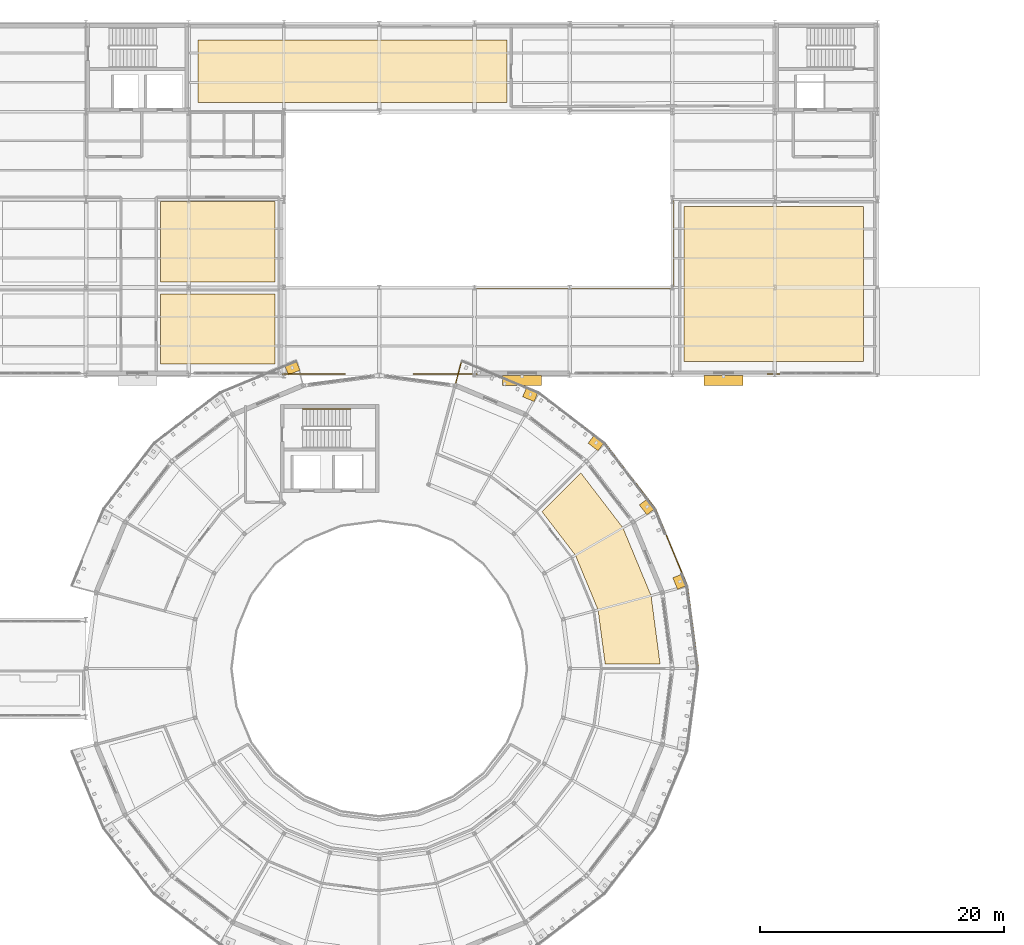
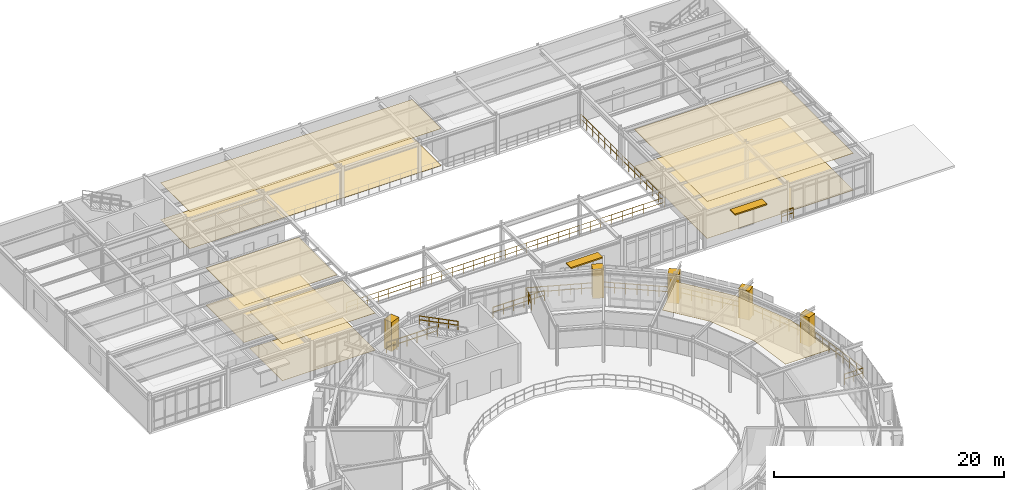
# One storey, part 88 of 90: 9 coverings, 7 shading devices, 6 railings.
"""IFC4 building model written with IfcOpenShell, lengths in metres."""

from ifc_helpers import new_model, si_unit, derived_unit, direction, frame, origin, origin_2d, place, context, subcontext, project, spatial, polyline, rectangle, circle, outline, extrude, material, layer, layer_set, type_object, element, save


model = new_model("IFC4")

# Units and contexts
model_context = context("Model", 3, precision=1e-05, world=origin(), true_north=direction((0.0, 1.0)))
body_context = subcontext(model_context, "Body", "Model", "MODEL_VIEW")
ifc_project = project(units=[si_unit("LENGTHUNIT", "METRE"), si_unit("AREAUNIT", "SQUARE_METRE"), si_unit("VOLUMEUNIT", "CUBIC_METRE"), si_unit("PLANEANGLEUNIT", "RADIAN"), si_unit("MASSUNIT", "GRAM", prefix="KILO"), derived_unit("THERMALTRANSMITTANCEUNIT", [(si_unit("POWERUNIT", "WATT"), 1), (si_unit("AREAUNIT", "SQUARE_METRE"), -1), (si_unit("THERMODYNAMICTEMPERATUREUNIT", "KELVIN"), -1)])], contexts=[model_context])

# Site, building, storey
site_placement = place(None, origin())
site = spatial("IfcSite", under=ifc_project, at=site_placement, CompositionType="ELEMENT")
building_placement = place(site_placement, origin())
building = spatial("IfcBuilding", under=site, at=building_placement, Name="Yasenodar Specialist Clinic", CompositionType="ELEMENT")
storey_placement = place(building_placement, frame((0.0, 0.0, 9.0)))
storey = spatial("IfcBuildingStorey", under=building, at=storey_placement, Name="L02", CompositionType="ELEMENT", Elevation=9.0)

# Coverings
ifc_material_1 = material(Name="Hygienic Acoustic Mineral-Fibre Ceiling")
ifc_layer_1 = layer(ifc_material_1, 0.02490234375)
ifc_layer_set_1 = layer_set([ifc_layer_1], Name="Hygienic Acoustic Mineral-Fibre Ceiling")
covering_type_1 = type_object("IfcCoveringType", Name="COV-CEIL-AC", PredefinedType="CEILING", material=ifc_layer_set_1)
covering_1_placement = place(storey_placement, frame((0.0, 0.0, 3.925048828125)))
element("IfcCovering", 1, at=covering_1_placement, inside=storey, type_object=covering_type_1, Name="L02 Targeted Biologics Infusion Suite Acoustic Ceiling", PredefinedType="CEILING", context=body_context, shape_type="SweptSolid", body=[
    extrude(outline(polyline([(98.922119140625, 63.5859375), (98.9140625, 63.615966796875), (98.903076171875, 63.64404296875), (97.0849609375, 68.033935546875), (97.072021484375, 68.06201171875), (97.056884765625, 68.087890625), (97.0390625, 68.113037109375), (94.333984375, 71.638916015625), (97.511962890625, 74.81689453125), (100.958984375, 70.322998046875), (103.261962890625, 64.764892578125), (104.0009765625, 59.14990234375), (99.507080078125, 59.14990234375), (98.927001953125, 63.555908203125), (98.922119140625, 63.5859375)])), origin(), (0.0, 0.0, 1.0), 0.02490234375),
])
covering_2_placement = place(storey_placement, frame((0.0, 0.0, 3.925048828125)))
element("IfcCovering", 2, at=covering_2_placement, inside=storey, type_object=covering_type_1, Name="L02 Minor Day-Procedure Suite 02 Acoustic Ceiling", PredefinedType="CEILING", context=body_context, shape_type="SweptSolid", body=[
    extrude(outline(polyline([(72.449951171875, 89.449951171875), (72.449951171875, 83.75), (63.10009765625, 83.75), (63.10009765625, 89.449951171875), (72.449951171875, 89.449951171875)])), origin(), (0.0, 0.0, 1.0), 0.02490234375),
])
covering_3_placement = place(storey_placement, frame((0.0, 0.0, 3.925048828125)))
element("IfcCovering", 3, at=covering_3_placement, inside=storey, type_object=covering_type_1, Name="L02 Aseptic Oncology Compounding Pharmacy Acoustic Ceiling", PredefinedType="CEILING", context=body_context, shape_type="SweptSolid", body=[
    extrude(outline(polyline([(91.449951171875, 105.14990234375), (66.14990234375, 105.14990234375), (66.14990234375, 110.25), (91.449951171875, 110.25), (91.449951171875, 105.14990234375)])), origin(), (0.0, 0.0, 1.0), 0.02490234375),
])
covering_4_placement = place(storey_placement, frame((0.0, 0.0, 3.925048828125)))
element("IfcCovering", 4, at=covering_4_placement, inside=storey, type_object=covering_type_1, Name="L02 Sterile Pack Preparation Store Acoustic Ceiling", PredefinedType="CEILING", context=body_context, shape_type="SweptSolid", body=[
    extrude(outline(polyline([(120.64990234375, 83.949951171875), (105.949951171875, 83.949951171875), (105.949951171875, 96.64990234375), (120.64990234375, 96.64990234375), (120.64990234375, 83.949951171875)])), origin(), (0.0, 0.0, 1.0), 0.02490234375),
])
covering_5_placement = place(storey_placement, frame((0.0, 0.0, 3.925048828125)))
element("IfcCovering", 5, at=covering_5_placement, inside=storey, type_object=covering_type_1, Name="L02 Day-Procedure Recovery Bay Acoustic Ceiling", PredefinedType="CEILING", context=body_context, shape_type="SweptSolid", body=[
    extrude(outline(polyline([(72.449951171875, 97.050048828125), (72.449951171875, 90.449951171875), (63.10009765625, 90.449951171875), (63.10009765625, 97.050048828125), (72.449951171875, 97.050048828125)])), origin(), (0.0, 0.0, 1.0), 0.02490234375),
])
ifc_material_2 = material(Name="Seamless Epoxy Terrazzo Clinical Flooring")
ifc_layer_2 = layer(ifc_material_2, 0.02001953125)
ifc_layer_set_2 = layer_set([ifc_layer_2], Name="Seamless Epoxy Terrazzo Clinical Flooring")
covering_type_2 = type_object("IfcCoveringType", Name="COV-FLR-TERR", PredefinedType="FLOORING", material=ifc_layer_set_2)
covering_6_placement = place(storey_placement, origin())
element("IfcCovering", 6, at=covering_6_placement, inside=storey, type_object=covering_type_2, Name="L02 Minor Day-Procedure Suite 02 Terrazzo Flooring", PredefinedType="FLOORING", context=body_context, shape_type="SweptSolid", body=[
    extrude(outline(polyline([(72.449951171875, 89.449951171875), (72.449951171875, 83.75), (63.10009765625, 83.75), (63.10009765625, 89.449951171875), (72.449951171875, 89.449951171875)])), origin(), (0.0, 0.0, 1.0), 0.02001953125),
])
covering_7_placement = place(storey_placement, origin())
element("IfcCovering", 7, at=covering_7_placement, inside=storey, type_object=covering_type_2, Name="L02 Aseptic Oncology Compounding Pharmacy Terrazzo Flooring", PredefinedType="FLOORING", context=body_context, shape_type="SweptSolid", body=[
    extrude(outline(polyline([(91.449951171875, 105.14990234375), (66.14990234375, 105.14990234375), (66.14990234375, 110.25), (91.449951171875, 110.25), (91.449951171875, 105.14990234375)])), origin(), (0.0, 0.0, 1.0), 0.02001953125),
])
covering_8_placement = place(storey_placement, origin())
element("IfcCovering", 8, at=covering_8_placement, inside=storey, type_object=covering_type_2, Name="L02 Sterile Pack Preparation Store Terrazzo Flooring", PredefinedType="FLOORING", context=body_context, shape_type="SweptSolid", body=[
    extrude(outline(polyline([(120.64990234375, 83.949951171875), (105.949951171875, 83.949951171875), (105.949951171875, 96.64990234375), (120.64990234375, 96.64990234375), (120.64990234375, 83.949951171875)])), origin(), (0.0, 0.0, 1.0), 0.02001953125),
])
covering_9_placement = place(storey_placement, origin())
element("IfcCovering", 9, at=covering_9_placement, inside=storey, type_object=covering_type_2, Name="L02 Day-Procedure Recovery Bay Terrazzo Flooring", PredefinedType="FLOORING", context=body_context, shape_type="SweptSolid", body=[
    extrude(outline(polyline([(72.449951171875, 97.050048828125), (72.449951171875, 90.449951171875), (63.10009765625, 90.449951171875), (63.10009765625, 97.050048828125), (72.449951171875, 97.050048828125)])), origin(), (0.0, 0.0, 1.0), 0.02001953125),
])

# Railings
ifc_material_3 = material(Name="Bronze Anodized Aluminium and Larch Balustrade", Category="aluminium")
railing_type_1 = type_object("IfcRailingType", Name="RL-BAL-1120", PredefinedType="BALUSTRADE", material=ifc_material_3)
railing_1_placement = place(storey_placement, frame((105.219970703125, 58.800048828125, 0.0)))
element("IfcRailing", 10, at=railing_1_placement, inside=storey, type_object=railing_type_1, Name="L02 Drum V1 Balcony Balustrade 1", PredefinedType="BALUSTRADE", context=body_context, shape_type="SweptSolid", body=[
    extrude(circle(Radius=0.02392578125, at=origin_2d()), frame((0.0, 0.0, 1.09619140625), z_axis=(1.0, 0.0, 0.0), x_axis=(0.0, 1.0, 0.0)), (0.0, 0.0, 1.0), 1.900146484375),
    extrude(circle(Radius=0.02392578125, at=origin_2d()), frame((0.0, 0.0, 0.58251953125), z_axis=(1.0, 0.0, 0.0), x_axis=(0.0, 1.0, 0.0)), (0.0, 0.0, 1.0), 1.900146484375),
    extrude(circle(Radius=0.02392578125, at=origin_2d()), frame((1.900146484375, 0.0, 1.09619140625), z_axis=(-0.130545279945, 0.99144234824, 0.0), x_axis=(-0.99144234824, -0.130545279945, 0.0)), (0.0, 0.0, 1.0), 6.818603515625),
    extrude(circle(Radius=0.02392578125, at=origin_2d()), frame((1.900146484375, 0.0, 0.58251953125), z_axis=(-0.130545279945, 0.99144234824, 0.0), x_axis=(-0.99144234824, -0.130545279945, 0.0)), (0.0, 0.0, 1.0), 6.818603515625),
    extrude(circle(Radius=0.02392578125, at=origin_2d()), frame((1.010009765625, 6.76025390625, 1.09619140625), z_axis=(-0.382672223843, 0.923884175154, 0.0), x_axis=(-0.923884175154, -0.382672223843, 0.0)), (0.0, 0.0, 1.0), 6.81884765625),
    extrude(circle(Radius=0.02392578125, at=origin_2d()), frame((1.010009765625, 6.76025390625, 0.58251953125), z_axis=(-0.382672223843, 0.923884175154, 0.0), x_axis=(-0.923884175154, -0.382672223843, 0.0)), (0.0, 0.0, 1.0), 6.81884765625),
    extrude(circle(Radius=0.02392578125, at=origin_2d()), frame((-1.599365234375, 13.06005859375, 1.09619140625), z_axis=(-0.608791534996, 0.793330238247, 0.0), x_axis=(-0.793330238247, -0.608791534996, 0.0)), (0.0, 0.0, 1.0), 6.818603515625),
    extrude(circle(Radius=0.02392578125, at=origin_2d()), frame((-1.599365234375, 13.06005859375, 0.58251953125), z_axis=(-0.608791534996, 0.793330238247, 0.0), x_axis=(-0.793330238247, -0.608791534996, 0.0)), (0.0, 0.0, 1.0), 6.818603515625),
    extrude(circle(Radius=0.02392578125, at=origin_2d()), frame((-5.75048828125, 18.469482421875, 1.09619140625), z_axis=(-0.793330238247, 0.608791534996, 0.0), x_axis=(-0.608791534996, -0.793330238247, 0.0)), (0.0, 0.0, 1.0), 6.818603515625),
    extrude(circle(Radius=0.02392578125, at=origin_2d()), frame((-5.75048828125, 18.469482421875, 0.58251953125), z_axis=(-0.793330238247, 0.608791534996, 0.0), x_axis=(-0.608791534996, -0.793330238247, 0.0)), (0.0, 0.0, 1.0), 6.818603515625),
    extrude(circle(Radius=0.02392578125, at=origin_2d()), frame((-11.159912109375, 22.62060546875, 1.09619140625), z_axis=(-0.923878931839, 0.382684882513, 0.0), x_axis=(-0.382684882513, -0.923878931839, 0.0)), (0.0, 0.0, 1.0), 6.818603515625),
    extrude(circle(Radius=0.02392578125, at=origin_2d()), frame((-11.159912109375, 22.62060546875, 0.58251953125), z_axis=(-0.923878931839, 0.382684882513, 0.0), x_axis=(-0.382684882513, -0.923878931839, 0.0)), (0.0, 0.0, 1.0), 6.818603515625),
    extrude(circle(Radius=0.02392578125, at=origin_2d()), frame((-17.45947265625, 25.22998046875, 1.09619140625), z_axis=(-0.258885930111, -0.965907902023, 0.0), x_axis=(0.965907902023, -0.258885930111, 0.0)), (0.0, 0.0, 1.0), 1.900146484375),
    extrude(circle(Radius=0.02392578125, at=origin_2d()), frame((-17.45947265625, 25.22998046875, 0.58251953125), z_axis=(-0.258885930111, -0.965907902023, 0.0), x_axis=(0.965907902023, -0.258885930111, 0.0)), (0.0, 0.0, 1.0), 1.900146484375),
    extrude(circle(Radius=0.02099609375, at=origin_2d()), origin(), (0.0, 0.0, 1.0), 1.072021484375),
    extrude(circle(Radius=0.02099609375, at=origin_2d()), frame((0.9501953125, 0.0, 0.0)), (0.0, 0.0, 1.0), 1.072021484375),
    extrude(circle(Radius=0.02099609375, at=origin_2d()), frame((1.900146484375, 0.0, 0.0)), (0.0, 0.0, 1.0), 1.072021484375),
    extrude(circle(Radius=0.02099609375, at=origin_2d()), frame((1.77294921875, 0.9658203125, 0.0)), (0.0, 0.0, 1.0), 1.072021484375),
    extrude(circle(Radius=0.02099609375, at=origin_2d()), frame((1.645751953125, 1.931396484375, 0.0)), (0.0, 0.0, 1.0), 1.072021484375),
    extrude(circle(Radius=0.02099609375, at=origin_2d()), frame((1.5185546875, 2.897216796875, 0.0)), (0.0, 0.0, 1.0), 1.072021484375),
    extrude(circle(Radius=0.02099609375, at=origin_2d()), frame((1.3916015625, 3.863037109375, 0.0)), (0.0, 0.0, 1.0), 1.072021484375),
    extrude(circle(Radius=0.02099609375, at=origin_2d()), frame((1.264404296875, 4.828857421875, 0.0)), (0.0, 0.0, 1.0), 1.072021484375),
    extrude(circle(Radius=0.02099609375, at=origin_2d()), frame((1.13720703125, 5.79443359375, 0.0)), (0.0, 0.0, 1.0), 1.072021484375),
    extrude(circle(Radius=0.02099609375, at=origin_2d()), frame((1.010009765625, 6.76025390625, 0.0)), (0.0, 0.0, 1.0), 1.072021484375),
    extrude(circle(Radius=0.02099609375, at=origin_2d()), frame((0.63720703125, 7.66015625, 0.0)), (0.0, 0.0, 1.0), 1.072021484375),
    extrude(circle(Radius=0.02099609375, at=origin_2d()), frame((0.264404296875, 8.560302734375, 0.0)), (0.0, 0.0, 1.0), 1.072021484375),
    extrude(circle(Radius=0.02099609375, at=origin_2d()), frame((-0.1083984375, 9.460205078125, 0.0)), (0.0, 0.0, 1.0), 1.072021484375),
    extrude(circle(Radius=0.02099609375, at=origin_2d()), frame((-0.48095703125, 10.360107421875, 0.0)), (0.0, 0.0, 1.0), 1.072021484375),
    extrude(circle(Radius=0.02099609375, at=origin_2d()), frame((-0.853759765625, 11.260009765625, 0.0)), (0.0, 0.0, 1.0), 1.072021484375),
    extrude(circle(Radius=0.02099609375, at=origin_2d()), frame((-1.2265625, 12.16015625, 0.0)), (0.0, 0.0, 1.0), 1.072021484375),
    extrude(circle(Radius=0.02099609375, at=origin_2d()), frame((-1.599365234375, 13.06005859375, 0.0)), (0.0, 0.0, 1.0), 1.072021484375),
    extrude(circle(Radius=0.02099609375, at=origin_2d()), frame((-2.1923828125, 13.832763671875, 0.0)), (0.0, 0.0, 1.0), 1.072021484375),
    extrude(circle(Radius=0.02099609375, at=origin_2d()), frame((-2.785400390625, 14.605712890625, 0.0)), (0.0, 0.0, 1.0), 1.072021484375),
    extrude(circle(Radius=0.02099609375, at=origin_2d()), frame((-3.37841796875, 15.37841796875, 0.0)), (0.0, 0.0, 1.0), 1.072021484375),
    extrude(circle(Radius=0.02099609375, at=origin_2d()), frame((-3.971435546875, 16.151123046875, 0.0)), (0.0, 0.0, 1.0), 1.072021484375),
    extrude(circle(Radius=0.02099609375, at=origin_2d()), frame((-4.564453125, 16.923828125, 0.0)), (0.0, 0.0, 1.0), 1.072021484375),
    extrude(circle(Radius=0.02099609375, at=origin_2d()), frame((-5.157470703125, 17.69677734375, 0.0)), (0.0, 0.0, 1.0), 1.072021484375),
    extrude(circle(Radius=0.02099609375, at=origin_2d()), frame((-5.75048828125, 18.469482421875, 0.0)), (0.0, 0.0, 1.0), 1.072021484375),
    extrude(circle(Radius=0.02099609375, at=origin_2d()), frame((-6.523193359375, 19.0625, 0.0)), (0.0, 0.0, 1.0), 1.072021484375),
    extrude(circle(Radius=0.02099609375, at=origin_2d()), frame((-7.296142578125, 19.655517578125, 0.0)), (0.0, 0.0, 1.0), 1.072021484375),
    extrude(circle(Radius=0.02099609375, at=origin_2d()), frame((-8.06884765625, 20.24853515625, 0.0)), (0.0, 0.0, 1.0), 1.072021484375),
    extrude(circle(Radius=0.02099609375, at=origin_2d()), frame((-8.841552734375, 20.841552734375, 0.0)), (0.0, 0.0, 1.0), 1.072021484375),
    extrude(circle(Radius=0.02099609375, at=origin_2d()), frame((-9.6142578125, 21.4345703125, 0.0)), (0.0, 0.0, 1.0), 1.072021484375),
    extrude(circle(Radius=0.02099609375, at=origin_2d()), frame((-10.38720703125, 22.027587890625, 0.0)), (0.0, 0.0, 1.0), 1.072021484375),
    extrude(circle(Radius=0.02099609375, at=origin_2d()), frame((-11.159912109375, 22.62060546875, 0.0)), (0.0, 0.0, 1.0), 1.072021484375),
    extrude(circle(Radius=0.02099609375, at=origin_2d()), frame((-12.059814453125, 22.993408203125, 0.0)), (0.0, 0.0, 1.0), 1.072021484375),
    extrude(circle(Radius=0.02099609375, at=origin_2d()), frame((-12.959716796875, 23.3662109375, 0.0)), (0.0, 0.0, 1.0), 1.072021484375),
    extrude(circle(Radius=0.02099609375, at=origin_2d()), frame((-13.859619140625, 23.739013671875, 0.0)), (0.0, 0.0, 1.0), 1.072021484375),
    extrude(circle(Radius=0.02099609375, at=origin_2d()), frame((-14.759765625, 24.111572265625, 0.0)), (0.0, 0.0, 1.0), 1.072021484375),
    extrude(circle(Radius=0.02099609375, at=origin_2d()), frame((-15.65966796875, 24.484375, 0.0)), (0.0, 0.0, 1.0), 1.072021484375),
    extrude(circle(Radius=0.02099609375, at=origin_2d()), frame((-16.5595703125, 24.857177734375, 0.0)), (0.0, 0.0, 1.0), 1.072021484375),
    extrude(circle(Radius=0.02099609375, at=origin_2d()), frame((-17.45947265625, 25.22998046875, 0.0)), (0.0, 0.0, 1.0), 1.072021484375),
    extrude(circle(Radius=0.02099609375, at=origin_2d()), frame((-17.70556640625, 24.312255859375, 0.0)), (0.0, 0.0, 1.0), 1.072021484375),
    extrude(circle(Radius=0.02099609375, at=origin_2d()), frame((-17.951416015625, 23.39453125, 0.0)), (0.0, 0.0, 1.0), 1.072021484375),
])
ifc_material_4 = material(Name="Steel S355 Painted Guardrail", Category="steel")
railing_type_2 = type_object("IfcRailingType", Name="RL-GRD-1120", PredefinedType="GUARDRAIL", material=ifc_material_4)
railing_2_placement = place(storey_placement, frame((73.10009765625, 89.89990234375, 0.0)))
element("IfcRailing", 11, at=railing_2_placement, inside=storey, type_object=railing_type_2, Name="L02 V5 Lightwell South-East Guardrail", PredefinedType="GUARDRAIL", context=body_context, shape_type="SweptSolid", body=[
    extrude(circle(Radius=0.02392578125, at=origin_2d()), frame((0.0, 0.0, 1.09619140625), z_axis=(1.0, 0.0, 0.0), x_axis=(0.0, 1.0, 0.0)), (0.0, 0.0, 1.0), 32.0),
    extrude(circle(Radius=0.02392578125, at=origin_2d()), frame((0.0, 0.0, 0.58251953125), z_axis=(1.0, 0.0, 0.0), x_axis=(0.0, 1.0, 0.0)), (0.0, 0.0, 1.0), 32.0),
    extrude(circle(Radius=0.02392578125, at=origin_2d()), frame((32.0, 0.0, 1.09619140625), z_axis=(0.0, 1.0, 0.0), x_axis=(-1.0, 0.0, 0.0)), (0.0, 0.0, 1.0), 14.60009765625),
    extrude(circle(Radius=0.02392578125, at=origin_2d()), frame((32.0, 0.0, 0.58251953125), z_axis=(0.0, 1.0, 0.0), x_axis=(-1.0, 0.0, 0.0)), (0.0, 0.0, 1.0), 14.60009765625),
    extrude(circle(Radius=0.02099609375, at=origin_2d()), origin(), (0.0, 0.0, 1.0), 1.072021484375),
    extrude(circle(Radius=0.02099609375, at=origin_2d()), frame((1.066650390625, 0.0, 0.0)), (0.0, 0.0, 1.0), 1.072021484375),
    extrude(circle(Radius=0.02099609375, at=origin_2d()), frame((2.13330078125, 0.0, 0.0)), (0.0, 0.0, 1.0), 1.072021484375),
    extrude(circle(Radius=0.02099609375, at=origin_2d()), frame((3.199951171875, 0.0, 0.0)), (0.0, 0.0, 1.0), 1.072021484375),
    extrude(circle(Radius=0.02099609375, at=origin_2d()), frame((4.2666015625, 0.0, 0.0)), (0.0, 0.0, 1.0), 1.072021484375),
    extrude(circle(Radius=0.02099609375, at=origin_2d()), frame((5.333251953125, 0.0, 0.0)), (0.0, 0.0, 1.0), 1.072021484375),
    extrude(circle(Radius=0.02099609375, at=origin_2d()), frame((6.39990234375, 0.0, 0.0)), (0.0, 0.0, 1.0), 1.072021484375),
    extrude(circle(Radius=0.02099609375, at=origin_2d()), frame((7.466552734375, 0.0, 0.0)), (0.0, 0.0, 1.0), 1.072021484375),
    extrude(circle(Radius=0.02099609375, at=origin_2d()), frame((8.533447265625, 0.0, 0.0)), (0.0, 0.0, 1.0), 1.072021484375),
    extrude(circle(Radius=0.02099609375, at=origin_2d()), frame((9.60009765625, 0.0, 0.0)), (0.0, 0.0, 1.0), 1.072021484375),
    extrude(circle(Radius=0.02099609375, at=origin_2d()), frame((10.666748046875, 0.0, 0.0)), (0.0, 0.0, 1.0), 1.072021484375),
    extrude(circle(Radius=0.02099609375, at=origin_2d()), frame((11.7333984375, 0.0, 0.0)), (0.0, 0.0, 1.0), 1.072021484375),
    extrude(circle(Radius=0.02099609375, at=origin_2d()), frame((12.800048828125, 0.0, 0.0)), (0.0, 0.0, 1.0), 1.072021484375),
    extrude(circle(Radius=0.02099609375, at=origin_2d()), frame((13.86669921875, 0.0, 0.0)), (0.0, 0.0, 1.0), 1.072021484375),
    extrude(circle(Radius=0.02099609375, at=origin_2d()), frame((14.933349609375, 0.0, 0.0)), (0.0, 0.0, 1.0), 1.072021484375),
    extrude(circle(Radius=0.02099609375, at=origin_2d()), frame((16.0, 0.0, 0.0)), (0.0, 0.0, 1.0), 1.072021484375),
    extrude(circle(Radius=0.02099609375, at=origin_2d()), frame((17.066650390625, 0.0, 0.0)), (0.0, 0.0, 1.0), 1.072021484375),
    extrude(circle(Radius=0.02099609375, at=origin_2d()), frame((18.13330078125, 0.0, 0.0)), (0.0, 0.0, 1.0), 1.072021484375),
    extrude(circle(Radius=0.02099609375, at=origin_2d()), frame((19.199951171875, 0.0, 0.0)), (0.0, 0.0, 1.0), 1.072021484375),
    extrude(circle(Radius=0.02099609375, at=origin_2d()), frame((20.2666015625, 0.0, 0.0)), (0.0, 0.0, 1.0), 1.072021484375),
    extrude(circle(Radius=0.02099609375, at=origin_2d()), frame((21.333251953125, 0.0, 0.0)), (0.0, 0.0, 1.0), 1.072021484375),
    extrude(circle(Radius=0.02099609375, at=origin_2d()), frame((22.39990234375, 0.0, 0.0)), (0.0, 0.0, 1.0), 1.072021484375),
    extrude(circle(Radius=0.02099609375, at=origin_2d()), frame((23.466552734375, 0.0, 0.0)), (0.0, 0.0, 1.0), 1.072021484375),
    extrude(circle(Radius=0.02099609375, at=origin_2d()), frame((24.533447265625, 0.0, 0.0)), (0.0, 0.0, 1.0), 1.072021484375),
    extrude(circle(Radius=0.02099609375, at=origin_2d()), frame((25.60009765625, 0.0, 0.0)), (0.0, 0.0, 1.0), 1.072021484375),
    extrude(circle(Radius=0.02099609375, at=origin_2d()), frame((26.666748046875, 0.0, 0.0)), (0.0, 0.0, 1.0), 1.072021484375),
    extrude(circle(Radius=0.02099609375, at=origin_2d()), frame((27.7333984375, 0.0, 0.0)), (0.0, 0.0, 1.0), 1.072021484375),
    extrude(circle(Radius=0.02099609375, at=origin_2d()), frame((28.800048828125, 0.0, 0.0)), (0.0, 0.0, 1.0), 1.072021484375),
    extrude(circle(Radius=0.02099609375, at=origin_2d()), frame((29.86669921875, 0.0, 0.0)), (0.0, 0.0, 1.0), 1.072021484375),
    extrude(circle(Radius=0.02099609375, at=origin_2d()), frame((30.933349609375, 0.0, 0.0)), (0.0, 0.0, 1.0), 1.072021484375),
    extrude(circle(Radius=0.02099609375, at=origin_2d()), frame((32.0, 0.0, 0.0)), (0.0, 0.0, 1.0), 1.072021484375),
    extrude(circle(Radius=0.02099609375, at=origin_2d()), frame((32.0, 1.04296875, 0.0)), (0.0, 0.0, 1.0), 1.072021484375),
    extrude(circle(Radius=0.02099609375, at=origin_2d()), frame((32.0, 2.085693359375, 0.0)), (0.0, 0.0, 1.0), 1.072021484375),
    extrude(circle(Radius=0.02099609375, at=origin_2d()), frame((32.0, 3.128662109375, 0.0)), (0.0, 0.0, 1.0), 1.072021484375),
    extrude(circle(Radius=0.02099609375, at=origin_2d()), frame((32.0, 4.17138671875, 0.0)), (0.0, 0.0, 1.0), 1.072021484375),
    extrude(circle(Radius=0.02099609375, at=origin_2d()), frame((32.0, 5.21435546875, 0.0)), (0.0, 0.0, 1.0), 1.072021484375),
    extrude(circle(Radius=0.02099609375, at=origin_2d()), frame((32.0, 6.257080078125, 0.0)), (0.0, 0.0, 1.0), 1.072021484375),
    extrude(circle(Radius=0.02099609375, at=origin_2d()), frame((32.0, 7.300048828125, 0.0)), (0.0, 0.0, 1.0), 1.072021484375),
    extrude(circle(Radius=0.02099609375, at=origin_2d()), frame((32.0, 8.343017578125, 0.0)), (0.0, 0.0, 1.0), 1.072021484375),
    extrude(circle(Radius=0.02099609375, at=origin_2d()), frame((32.0, 9.3857421875, 0.0)), (0.0, 0.0, 1.0), 1.072021484375),
    extrude(circle(Radius=0.02099609375, at=origin_2d()), frame((32.0, 10.4287109375, 0.0)), (0.0, 0.0, 1.0), 1.072021484375),
    extrude(circle(Radius=0.02099609375, at=origin_2d()), frame((32.0, 11.471435546875, 0.0)), (0.0, 0.0, 1.0), 1.072021484375),
    extrude(circle(Radius=0.02099609375, at=origin_2d()), frame((32.0, 12.514404296875, 0.0)), (0.0, 0.0, 1.0), 1.072021484375),
    extrude(circle(Radius=0.02099609375, at=origin_2d()), frame((32.0, 13.55712890625, 0.0)), (0.0, 0.0, 1.0), 1.072021484375),
    extrude(circle(Radius=0.02099609375, at=origin_2d()), frame((32.0, 14.60009765625, 0.0)), (0.0, 0.0, 1.0), 1.072021484375),
])
railing_3_placement = place(storey_placement, frame((73.10009765625, 82.89990234375, 0.0)))
element("IfcRailing", 12, at=railing_3_placement, inside=storey, type_object=railing_type_2, Name="L02 V5 Drum Junction West Guardrail", PredefinedType="GUARDRAIL", context=body_context, shape_type="SweptSolid", body=[
    extrude(circle(Radius=0.02392578125, at=origin_2d()), frame((0.0, 0.0, 1.09619140625), z_axis=(1.0, 0.0, 0.0), x_axis=(0.0, 1.0, 0.0)), (0.0, 0.0, 1.0), 5.099853515625),
    extrude(circle(Radius=0.02392578125, at=origin_2d()), frame((0.0, 0.0, 0.58251953125), z_axis=(1.0, 0.0, 0.0), x_axis=(0.0, 1.0, 0.0)), (0.0, 0.0, 1.0), 5.099853515625),
    extrude(circle(Radius=0.02099609375, at=origin_2d()), origin(), (0.0, 0.0, 1.0), 1.072021484375),
    extrude(circle(Radius=0.02099609375, at=origin_2d()), frame((1.02001953125, 0.0, 0.0)), (0.0, 0.0, 1.0), 1.072021484375),
    extrude(circle(Radius=0.02099609375, at=origin_2d()), frame((2.0400390625, 0.0, 0.0)), (0.0, 0.0, 1.0), 1.072021484375),
    extrude(circle(Radius=0.02099609375, at=origin_2d()), frame((3.059814453125, 0.0, 0.0)), (0.0, 0.0, 1.0), 1.072021484375),
    extrude(circle(Radius=0.02099609375, at=origin_2d()), frame((4.079833984375, 0.0, 0.0)), (0.0, 0.0, 1.0), 1.072021484375),
    extrude(circle(Radius=0.02099609375, at=origin_2d()), frame((5.099853515625, 0.0, 0.0)), (0.0, 0.0, 1.0), 1.072021484375),
])
railing_4_placement = place(storey_placement, frame((83.800048828125, 82.89990234375, 0.0)))
element("IfcRailing", 13, at=railing_4_placement, inside=storey, type_object=railing_type_2, Name="L02 V5 Drum Junction East Guardrail", PredefinedType="GUARDRAIL", context=body_context, shape_type="SweptSolid", body=[
    extrude(circle(Radius=0.02392578125, at=origin_2d()), frame((0.0, 0.0, 1.09619140625), z_axis=(1.0, 0.0, 0.0), x_axis=(0.0, 1.0, 0.0)), (0.0, 0.0, 1.0), 5.199951171875),
    extrude(circle(Radius=0.02392578125, at=origin_2d()), frame((0.0, 0.0, 0.58251953125), z_axis=(1.0, 0.0, 0.0), x_axis=(0.0, 1.0, 0.0)), (0.0, 0.0, 1.0), 5.199951171875),
    extrude(circle(Radius=0.02099609375, at=origin_2d()), origin(), (0.0, 0.0, 1.0), 1.072021484375),
    extrude(circle(Radius=0.02099609375, at=origin_2d()), frame((1.0400390625, 0.0, 0.0)), (0.0, 0.0, 1.0), 1.072021484375),
    extrude(circle(Radius=0.02099609375, at=origin_2d()), frame((2.080078125, 0.0, 0.0)), (0.0, 0.0, 1.0), 1.072021484375),
    extrude(circle(Radius=0.02099609375, at=origin_2d()), frame((3.119873046875, 0.0, 0.0)), (0.0, 0.0, 1.0), 1.072021484375),
    extrude(circle(Radius=0.02099609375, at=origin_2d()), frame((4.159912109375, 0.0, 0.0)), (0.0, 0.0, 1.0), 1.072021484375),
    extrude(circle(Radius=0.02099609375, at=origin_2d()), frame((5.199951171875, 0.0, 0.0)), (0.0, 0.0, 1.0), 1.072021484375),
])
railing_5_placement = place(storey_placement, frame((112.800048828125, 82.89990234375, 0.0)))
element("IfcRailing", 14, at=railing_5_placement, inside=storey, type_object=railing_type_2, Name="L02 V5 South Mullion Closure Guardrail", PredefinedType="GUARDRAIL", context=body_context, shape_type="SweptSolid", body=[
    extrude(circle(Radius=0.02392578125, at=origin_2d()), frame((0.0, 0.0, 1.09619140625), z_axis=(1.0, 0.0, 0.0), x_axis=(0.0, 1.0, 0.0)), (0.0, 0.0, 1.0), 1.199951171875),
    extrude(circle(Radius=0.02392578125, at=origin_2d()), frame((0.0, 0.0, 0.58251953125), z_axis=(1.0, 0.0, 0.0), x_axis=(0.0, 1.0, 0.0)), (0.0, 0.0, 1.0), 1.199951171875),
    extrude(circle(Radius=0.02099609375, at=origin_2d()), origin(), (0.0, 0.0, 1.0), 1.072021484375),
    extrude(circle(Radius=0.02099609375, at=origin_2d()), frame((0.60009765625, 0.0, 0.0)), (0.0, 0.0, 1.0), 1.072021484375),
    extrude(circle(Radius=0.02099609375, at=origin_2d()), frame((1.199951171875, 0.0, 0.0)), (0.0, 0.0, 1.0), 1.072021484375),
])
ifc_material_5 = material(Name="Brushed Stainless Steel Handrail", Category="steel")
railing_type_3 = type_object("IfcRailingType", Name="RL-ST-HND", PredefinedType="HANDRAIL", material=ifc_material_5)
railing_6_placement = place(storey_placement, frame((78.639892578125, 80.06005859375, 2.25)))
element("IfcRailing", 15, at=railing_6_placement, inside=storey, type_object=railing_type_3, Name="L02 ST-03 stair handrail 2", PredefinedType="HANDRAIL", context=body_context, shape_type="SweptSolid", body=[
    extrude(circle(Radius=0.02392578125, at=origin_2d()), frame((0.0, 0.0, 0.8759765625), z_axis=(-0.894427191, 0.0, 0.4472135955), x_axis=(0.0, -1.0, 0.0)), (0.0, 0.0, 1.0), 4.360107421875),
    extrude(circle(Radius=0.02392578125, at=origin_2d()), frame((0.0, 0.0, 0.468017578125), z_axis=(-0.894427191, 0.0, 0.4472135955), x_axis=(0.0, -1.0, 0.0)), (0.0, 0.0, 1.0), 4.360107421875),
    extrude(circle(Radius=0.02099609375, at=origin_2d()), origin(), (0.0, 0.0, 1.0), 0.851806640625),
    extrude(circle(Radius=0.02099609375, at=origin_2d()), frame((-0.97509765625, 0.0, 0.487548828125)), (0.0, 0.0, 1.0), 0.851806640625),
    extrude(circle(Radius=0.02099609375, at=origin_2d()), frame((-1.949951171875, 0.0, 0.97509765625)), (0.0, 0.0, 1.0), 0.851806640625),
    extrude(circle(Radius=0.02099609375, at=origin_2d()), frame((-2.9248046875, 0.0, 1.46240234375)), (0.0, 0.0, 1.0), 0.851806640625),
    extrude(circle(Radius=0.02099609375, at=origin_2d()), frame((-3.89990234375, 0.0, 1.949951171875)), (0.0, 0.0, 1.0), 0.851806640625),
])

# Shading devices
ifc_material_6 = material(Name="Bronze Anodized Aluminium Chhajja Sunshade", Category="aluminium")
shading_device_type_1 = type_object("IfcShadingDeviceType", Name="SHD-CHHAJJA-850", PredefinedType="JALOUSIE", material=ifc_material_6)
for number, where, z_axis, x_axis, name in (
    (16, (109.199951171875, 82.3798828125, 3.10791015625), (0.0, 0.0, 1.0), (-1.0, 0.0, 0.0), "L02 Chhajja Solar Overhang 452"),
    (17, (92.699951171875, 82.3798828125, 3.2080078125), (0.0, 0.0, 1.0), (-1.0, 0.0, 0.0), "L02 Chhajja Solar Overhang 453"),
):
    element("IfcShadingDevice", number, at=place(storey_placement, frame(where, z_axis=z_axis, x_axis=x_axis)), inside=storey, type_object=shading_device_type_1, Name=name, PredefinedType="JALOUSIE", context=body_context, shape_type="SweptSolid", body=[
        extrude(rectangle(XDim=3.199951171875, YDim=0.85009765625, at=origin_2d()), origin(), (0.0, 0.0, 1.0), 0.139892578125),
    ])
ifc_material_7 = material(Name="Thermally Modified Larch and Bronze Girih Jali Shutter")
shading_device_type_2 = type_object("IfcShadingDeviceType", Name="SHD-JALI-850", PredefinedType="SHUTTER", material=ifc_material_7)
for number, where, z_axis, x_axis, name in (
    (18, (105.627197265625, 65.916259765625, -0.005126953125), (0.0, 0.0, 1.0), (-0.382686667195, 0.923878192594, 0.0), "L02 Mughal Girih Jali Sliding Shutter Frame 0115"),
    (19, (102.9462890625, 72.0478515625, -0.005126953125), (0.0, 0.0, 1.0), (-0.608764217148, 0.793351200869, 0.0), "L02 Mughal Girih Jali Sliding Shutter Frame 0118"),
    (20, (98.76953125, 77.276611328125, -0.005126953125), (0.0, 0.0, 1.0), (-0.793351200869, 0.608764217148, 0.0), "L02 Mughal Girih Jali Sliding Shutter Frame 0124"),
    (21, (93.382080078125, 81.24609375, -0.005126953125), (0.0, 0.0, 1.0), (-0.923878192594, 0.382686667195, 0.0), "L02 Mughal Girih Jali Sliding Shutter Frame 0130"),
    (22, (73.8837890625, 83.42724609375, -0.005126953125), (0.0, 0.0, 1.0), (-0.923878192594, -0.382686667195, 0.0), "L02 Mughal Girih Jali Sliding Shutter Frame 0136"),
):
    element("IfcShadingDevice", number, at=place(storey_placement, frame(where, z_axis=z_axis, x_axis=x_axis)), inside=storey, type_object=shading_device_type_2, Name=name, PredefinedType="SHUTTER", context=body_context, shape_type="SweptSolid", body=[
        extrude(rectangle(XDim=1.02001953125, YDim=0.85009765625, at=origin_2d()), origin(), (0.0, 0.0, 1.0), 3.10009765625),
    ])

save(model, "model.ifc")
